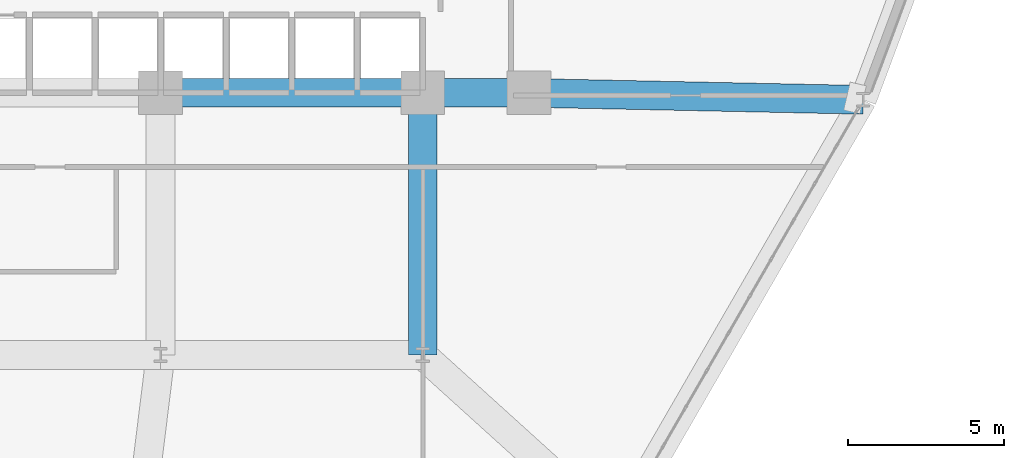
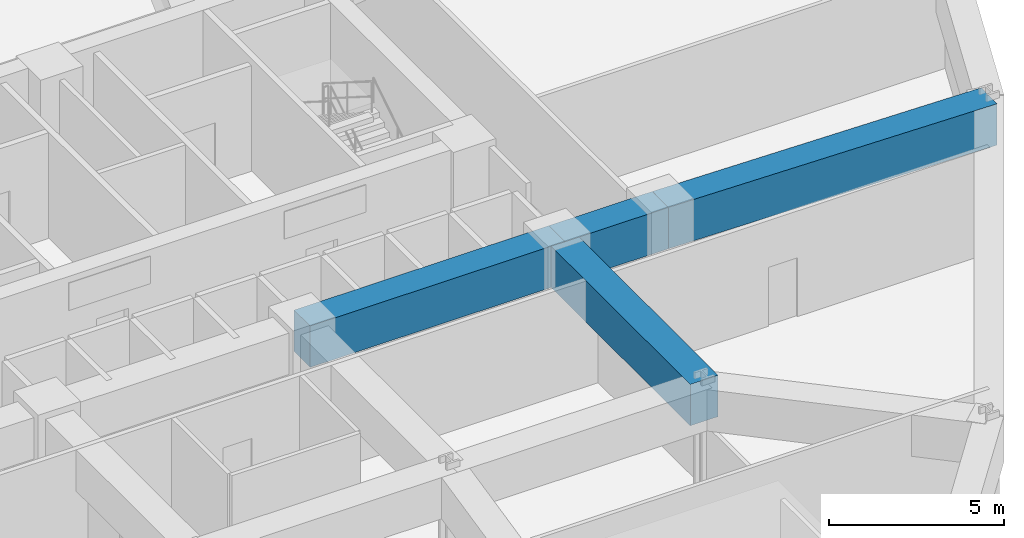
# One storey, part 8 of 20: 4 beams.
"""IFC4 building model written with IfcOpenShell, lengths in metres."""

from ifc_helpers import new_model, si_unit, derived_unit, direction, frame, origin, origin_2d, place, context, subcontext, project, spatial, rectangle, extrude, source, transform, mapped, material, material_profile, profile_set, type_object, element, save


model = new_model("IFC4")

# Units and contexts
model_context = context("Model", 3, precision=1e-05, world=origin(), true_north=direction((0.0, 1.0)))
body_context = subcontext(model_context, "Body", "Model", "MODEL_VIEW")
ifc_project = project(units=[si_unit("LENGTHUNIT", "METRE"), si_unit("AREAUNIT", "SQUARE_METRE"), si_unit("VOLUMEUNIT", "CUBIC_METRE"), si_unit("PLANEANGLEUNIT", "RADIAN"), si_unit("MASSUNIT", "GRAM", prefix="KILO"), derived_unit("THERMALTRANSMITTANCEUNIT", [(si_unit("POWERUNIT", "WATT"), 1), (si_unit("LENGTHUNIT", "METRE"), -2), (si_unit("THERMODYNAMICTEMPERATUREUNIT", "KELVIN"), -1)])], contexts=[model_context])

# Site, building, storey
site_placement = place(None, origin())
site = spatial("IfcSite", under=ifc_project, at=site_placement, CompositionType="ELEMENT")
building_placement = place(site_placement, origin())
building = spatial("IfcBuilding", under=site, at=building_placement, Name="Korsvarv Bourse and Concert Hall", CompositionType="ELEMENT")
storey_placement = place(building_placement, frame((0.0, 0.0, 43.5)))
storey = spatial("IfcBuildingStorey", under=building, at=storey_placement, Name="L10", CompositionType="ELEMENT", Elevation=43.5)

# Beams
ifc_material = material(Name="Concrete C50/60", Category="concrete")
ifc_material_profile = material_profile(ifc_material, rectangle(XDim=0.919921875, YDim=1.43994140625, at=origin_2d()), Name="RC-BM 920x1440")
ifc_profile_set = profile_set([ifc_material_profile], Name="Concrete C50/60")
beam_type = type_object("IfcBeamType", Name="BM-TR-144", PredefinedType="BEAM", material=ifc_profile_set)
shared_shape_1 = source(origin(), body_context, "Body", "SweptSolid", [
    extrude(rectangle(XDim=0.919921875, YDim=1.43994140625, at=origin_2d()), origin(), (0.0, 0.0, 1.0), 3.400146484375),
])
beam_1_placement = place(storey_placement, frame((44.39990234375, 32.39990234375, 2.9599609375), z_axis=(1.0, 0.0, 0.0), x_axis=(0.0, 1.0, 0.0)))
element("IfcBeam", 1, at=beam_1_placement, inside=storey, type_object=beam_type, Name="L10 beam B-TR4", PredefinedType="BEAM", context=body_context, shape_type="MappedRepresentation", body=[
    mapped(shared_shape_1, transform((0.0, 0.0, 0.0), scale=1.0)),
])
shared_shape_2 = source(origin(), body_context, "Body", "SweptSolid", [
    extrude(rectangle(XDim=0.919921875, YDim=1.43994140625, at=origin_2d()), origin(), (0.0, 0.0, 1.0), 8.39990234375),
])
for number, where, z_axis, x_axis, name in (
    (2, (36.0, 32.39990234375, 2.9599609375), (1.0, 0.0, 0.0), (0.0, 1.0, 0.0), "L10 beam B-TR4"),
    (3, (44.39990234375, 24.0, 2.9599609375), (0.0, 1.0, 0.0), (-1.0, 0.0, 0.0), "L10 beam B-TR4"),
):
    element("IfcBeam", number, at=place(storey_placement, frame(where, z_axis=z_axis, x_axis=x_axis)), inside=storey, type_object=beam_type, Name=name, PredefinedType="BEAM", context=body_context, shape_type="MappedRepresentation", body=[
        mapped(shared_shape_2, transform((0.0, 0.0, 0.0), scale=1.0)),
    ])
shared_shape_3 = source(origin(), body_context, "Body", "SweptSolid", [
    extrude(rectangle(XDim=0.919921875, YDim=1.43994140625, at=origin_2d()), origin(), (0.0, 0.0, 1.0), 10.707275390625),
])
beam_2_placement = place(storey_placement, frame((58.5048828125, 32.176513671875, 2.9599609375), z_axis=(-0.999782333994, 0.020863476078, 0.0), x_axis=(-0.020863476078, -0.999782333994, 0.0)))
element("IfcBeam", 4, at=beam_2_placement, inside=storey, type_object=beam_type, Name="L10 beam B-TR4", PredefinedType="BEAM", context=body_context, shape_type="MappedRepresentation", body=[
    mapped(shared_shape_3, transform((0.0, 0.0, 0.0), scale=1.0)),
])

save(model, "model.ifc")
